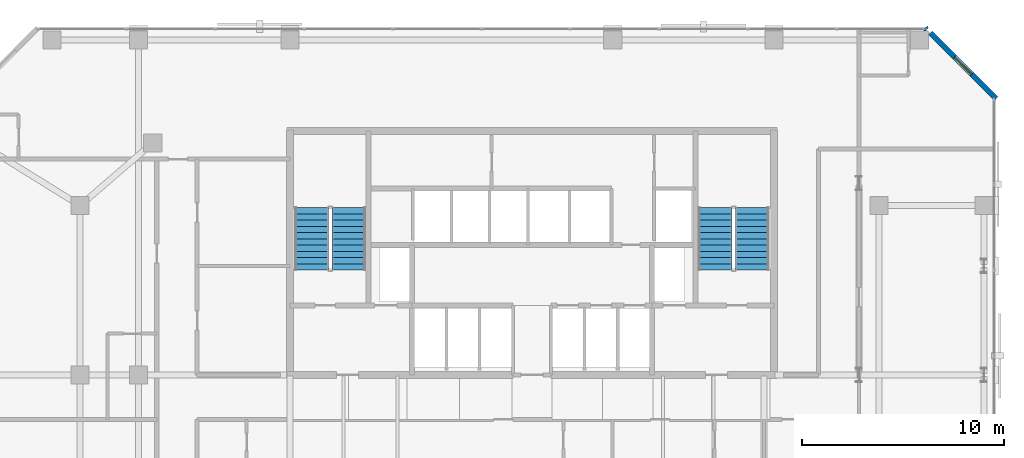
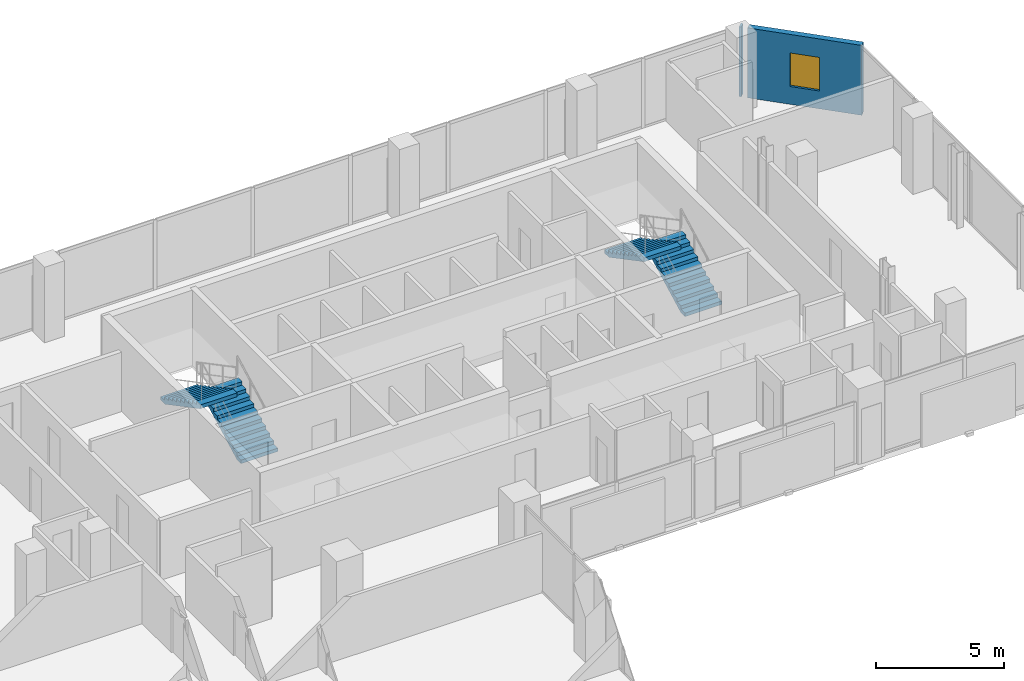
# One storey, part 31 of 35: 4 stair flights, 2 walls, 1 window, 1 opening, 2 elements without a shape of their own.
"""IFC4 building model written with IfcOpenShell, lengths in metres."""

from ifc_helpers import new_model, si_unit, direction, frame, frame_2d, origin, place, context, subcontext, project, spatial, polyline, rectangle, outline, extrude, material, layer, layer_set, type_object, element, fill, aggregate, save


model = new_model("IFC4")

# Units and contexts
model_context = context("Model", 3, precision=1e-05, world=origin(), true_north=direction((0.0, 1.0)))
body_context = subcontext(model_context, "Body", "Model", "MODEL_VIEW")
ifc_project = project(units=[si_unit("LENGTHUNIT", "METRE"), si_unit("AREAUNIT", "SQUARE_METRE"), si_unit("VOLUMEUNIT", "CUBIC_METRE"), si_unit("PLANEANGLEUNIT", "RADIAN"), si_unit("MASSUNIT", "GRAM", prefix="KILO")], contexts=[model_context])

# Site, building, storey
site_placement = place(None, origin())
site = spatial("IfcSite", under=ifc_project, at=site_placement, CompositionType="ELEMENT")
building_placement = place(site_placement, origin())
building = spatial("IfcBuilding", under=site, at=building_placement, Name="Catumbela Crestline Tower", CompositionType="ELEMENT")
storey_placement = place(building_placement, frame((0.0, 0.0, 90.0)))
storey = spatial("IfcBuildingStorey", under=building, at=storey_placement, Name="L22", CompositionType="ELEMENT", Elevation=90.0)

# Wall, opening, window
ifc_material_1 = material(Name="Angolan grey-ochre granite", Category="masonry")
ifc_layer = layer(ifc_material_1, 0.25, Name="Angolan grey-ochre granite")
ifc_layer_set = layer_set([ifc_layer], Name="Angolan grey-ochre granite")
wall_type = type_object("IfcWallType", Name="WE-250", PredefinedType="STANDARD", material=ifc_layer_set)
wall_1_placement = place(storey_placement, frame((51.0, 44.5, 0.0), z_axis=(0.0, 0.0, 1.0), x_axis=(-0.707106781187, 0.707106781187, 0.0)))
wall_1 = element("IfcWall", 1, at=wall_1_placement, inside=storey, type_object=wall_type, Name="L22 Granite Punched Window Wall 6-1", PredefinedType="STANDARD", context=body_context, shape_type="SweptSolid", body=[
    extrude(rectangle(XDim=4.6126, YDim=0.25, at=frame_2d((2.3063, 0.0))), origin(), (0.0, 0.0, 1.0), 3.33),
])
opening_placement = place(wall_1_placement, frame((1.7063, 0.0, 0.85)))
opening = element("IfcOpeningElement", 2, at=opening_placement, cuts=wall_1, Name="Opening WN-02", PredefinedType="OPENING", context=body_context, shape_type="SweptSolid", body=[
    extrude(rectangle(XDim=1.2, YDim=1.6, at=frame_2d((0.6, 0.8))), frame((0.0, 0.135, 0.0), z_axis=(0.0, -1.0, 0.0), x_axis=(1.0, 0.0, 0.0)), (0.0, 0.0, 1.0), 0.27),
])
ifc_material_2 = material(Name="Low-E laminated solar-control double glazing", Category="glass")
window_type = type_object("IfcWindowType", Name="WO-1200", PartitioningType="SINGLE_PANEL", PredefinedType="WINDOW", material=ifc_material_2)
window_placement = place(opening_placement, origin())
window = element("IfcWindow", 3, at=window_placement, inside=storey, type_object=window_type, Name="L22 Facade Vision Window 132", OverallHeight=1.6, OverallWidth=1.2, PartitioningType="SINGLE_PANEL", PredefinedType="WINDOW", context=body_context, shape_type="SweptSolid", body=[
    extrude(rectangle(XDim=1.2, YDim=1.6, at=frame_2d((0.6, 0.8))), frame((0.0, 0.03, 0.0), z_axis=(0.0, -1.0, 0.0), x_axis=(1.0, 0.0, 0.0)), (0.0, 0.0, 1.0), 0.06),
])
fill(opening, window)

# Wall
wall_2_placement = place(storey_placement, frame((47.5616, 47.9384, 0.0), z_axis=(0.0, 0.0, 1.0), x_axis=(-0.707106781187, 0.707106781187, 0.0)))
element("IfcWall", 4, at=wall_2_placement, inside=storey, type_object=wall_type, Name="L22 Granite Punched Window Wall 6-2", PredefinedType="STANDARD", context=body_context, shape_type="SweptSolid", body=[
    extrude(rectangle(XDim=0.0871, YDim=0.25, at=frame_2d((0.0436, 0.0))), origin(), (0.0, 0.0, 1.0), 3.33),
])

# Stair, stair flights
ifc_material_3 = material(Name="Concrete C45/55", Category="concrete")
stair_type = type_object("IfcStairType", Name="ST-DLG", PredefinedType="HALF_TURN_STAIR", material=ifc_material_3)
stair_1_placement = place(storey_placement, origin())
stair_1 = element("IfcStair", 5, at=stair_1_placement, inside=storey, type_object=stair_type, Name="L22 West Core Pressurised Exit Stair ST-01", PredefinedType="HALF_TURN_STAIR")
stair_flight_type = type_object("IfcStairFlightType", Name="SF-1636", PredefinedType="STRAIGHT", material=ifc_material_3)
stair_flight_1_placement = place(storey_placement, frame((18.92, 36.0, 0.0), z_axis=(0.0, 0.0, 1.0), x_axis=(0.0, 1.0, 0.0)))
stair_flight_1 = element("IfcStairFlight", 6, at=stair_flight_1_placement, type_object=stair_flight_type, Name="ST-01 flight 1", NumberOfRisers=11, NumberOfTreads=10, PredefinedType="STRAIGHT", RiserHeight=0.163636364, TreadLength=0.31, context=body_context, shape_type="SweptSolid", body=[
    extrude(outline(polyline([(0.0, 0.0), (0.0, 0.1636), (0.31, 0.1636), (0.31, 0.3273), (0.62, 0.3273), (0.62, 0.4909), (0.93, 0.4909), (0.93, 0.6545), (1.24, 0.6545), (1.24, 0.8182), (1.55, 0.8182), (1.55, 0.9818), (1.86, 0.9818), (1.86, 1.1455), (2.17, 1.1455), (2.17, 1.3091), (2.48, 1.3091), (2.48, 1.4727), (2.79, 1.4727), (2.79, 1.6364), (3.1, 1.6364), (3.1, 1.8), (3.1, 1.4554), (0.3427, 0.0), (0.0, 0.0)])), frame((0.0, 0.83, 0.0), z_axis=(0.0, -1.0, 0.0), x_axis=(1.0, 0.0, 0.0)), (0.0, 0.0, 1.0), 1.66),
])
stair_flight_2_placement = place(storey_placement, frame((17.08, 39.1, 1.8), z_axis=(0.0, 0.0, 1.0), x_axis=(0.0, -1.0, 0.0)))
stair_flight_2 = element("IfcStairFlight", 7, at=stair_flight_2_placement, type_object=stair_flight_type, Name="ST-01 flight 2", NumberOfRisers=11, NumberOfTreads=10, PredefinedType="STRAIGHT", RiserHeight=0.163636364, TreadLength=0.31, context=body_context, shape_type="SweptSolid", body=[
    extrude(outline(polyline([(0.0, 0.0), (0.0, 0.1636), (0.31, 0.1636), (0.31, 0.3273), (0.62, 0.3273), (0.62, 0.4909), (0.93, 0.4909), (0.93, 0.6545), (1.24, 0.6545), (1.24, 0.8182), (1.55, 0.8182), (1.55, 0.9818), (1.86, 0.9818), (1.86, 1.1455), (2.17, 1.1455), (2.17, 1.3091), (2.48, 1.3091), (2.48, 1.4727), (2.79, 1.4727), (2.79, 1.6364), (3.1, 1.6364), (3.1, 1.8), (3.1, 1.4554), (0.3427, 0.0), (0.0, 0.0)])), frame((0.0, 0.83, 0.0), z_axis=(0.0, -1.0, 0.0), x_axis=(1.0, 0.0, 0.0)), (0.0, 0.0, 1.0), 1.66),
])
aggregate(stair_1, [stair_flight_1, stair_flight_2])

stair_2_placement = place(storey_placement, origin())
stair_2 = element("IfcStair", 8, at=stair_2_placement, inside=storey, type_object=stair_type, Name="L22 East Core Pressurised Exit Stair ST-02", PredefinedType="HALF_TURN_STAIR")
stair_flight_3_placement = place(storey_placement, frame((38.92, 36.0, 0.0), z_axis=(0.0, 0.0, 1.0), x_axis=(0.0, 1.0, 0.0)))
stair_flight_3 = element("IfcStairFlight", 9, at=stair_flight_3_placement, type_object=stair_flight_type, Name="ST-02 flight 1", NumberOfRisers=11, NumberOfTreads=10, PredefinedType="STRAIGHT", RiserHeight=0.163636364, TreadLength=0.31, context=body_context, shape_type="SweptSolid", body=[
    extrude(outline(polyline([(0.0, 0.0), (0.0, 0.1636), (0.31, 0.1636), (0.31, 0.3273), (0.62, 0.3273), (0.62, 0.4909), (0.93, 0.4909), (0.93, 0.6545), (1.24, 0.6545), (1.24, 0.8182), (1.55, 0.8182), (1.55, 0.9818), (1.86, 0.9818), (1.86, 1.1455), (2.17, 1.1455), (2.17, 1.3091), (2.48, 1.3091), (2.48, 1.4727), (2.79, 1.4727), (2.79, 1.6364), (3.1, 1.6364), (3.1, 1.8), (3.1, 1.4554), (0.3427, 0.0), (0.0, 0.0)])), frame((0.0, 0.83, 0.0), z_axis=(0.0, -1.0, 0.0), x_axis=(1.0, 0.0, 0.0)), (0.0, 0.0, 1.0), 1.66),
])
stair_flight_4_placement = place(storey_placement, frame((37.08, 39.1, 1.8), z_axis=(0.0, 0.0, 1.0), x_axis=(0.0, -1.0, 0.0)))
stair_flight_4 = element("IfcStairFlight", 10, at=stair_flight_4_placement, type_object=stair_flight_type, Name="ST-02 flight 2", NumberOfRisers=11, NumberOfTreads=10, PredefinedType="STRAIGHT", RiserHeight=0.163636364, TreadLength=0.31, context=body_context, shape_type="SweptSolid", body=[
    extrude(outline(polyline([(0.0, 0.0), (0.0, 0.1636), (0.31, 0.1636), (0.31, 0.3273), (0.62, 0.3273), (0.62, 0.4909), (0.93, 0.4909), (0.93, 0.6545), (1.24, 0.6545), (1.24, 0.8182), (1.55, 0.8182), (1.55, 0.9818), (1.86, 0.9818), (1.86, 1.1455), (2.17, 1.1455), (2.17, 1.3091), (2.48, 1.3091), (2.48, 1.4727), (2.79, 1.4727), (2.79, 1.6364), (3.1, 1.6364), (3.1, 1.8), (3.1, 1.4554), (0.3427, 0.0), (0.0, 0.0)])), frame((0.0, 0.83, 0.0), z_axis=(0.0, -1.0, 0.0), x_axis=(1.0, 0.0, 0.0)), (0.0, 0.0, 1.0), 1.66),
])
aggregate(stair_2, [stair_flight_3, stair_flight_4])

save(model, "model.ifc")
